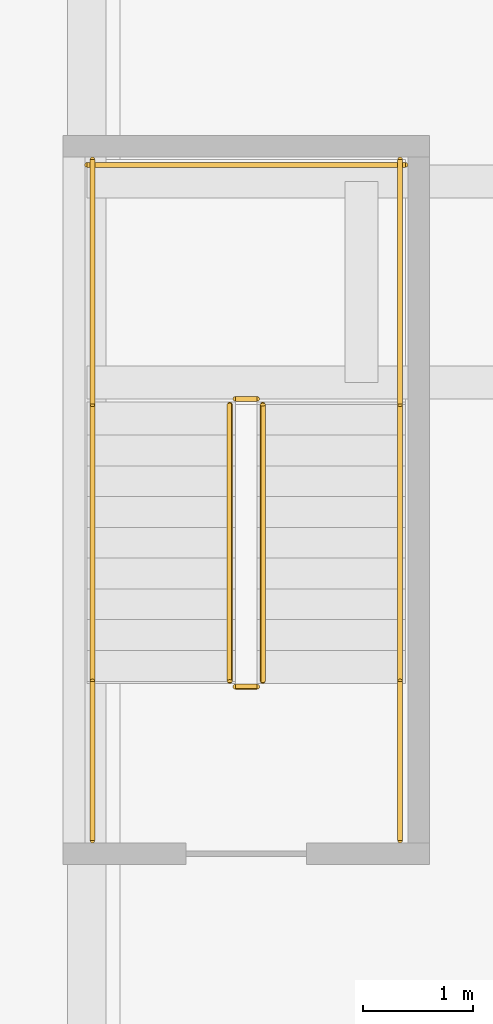
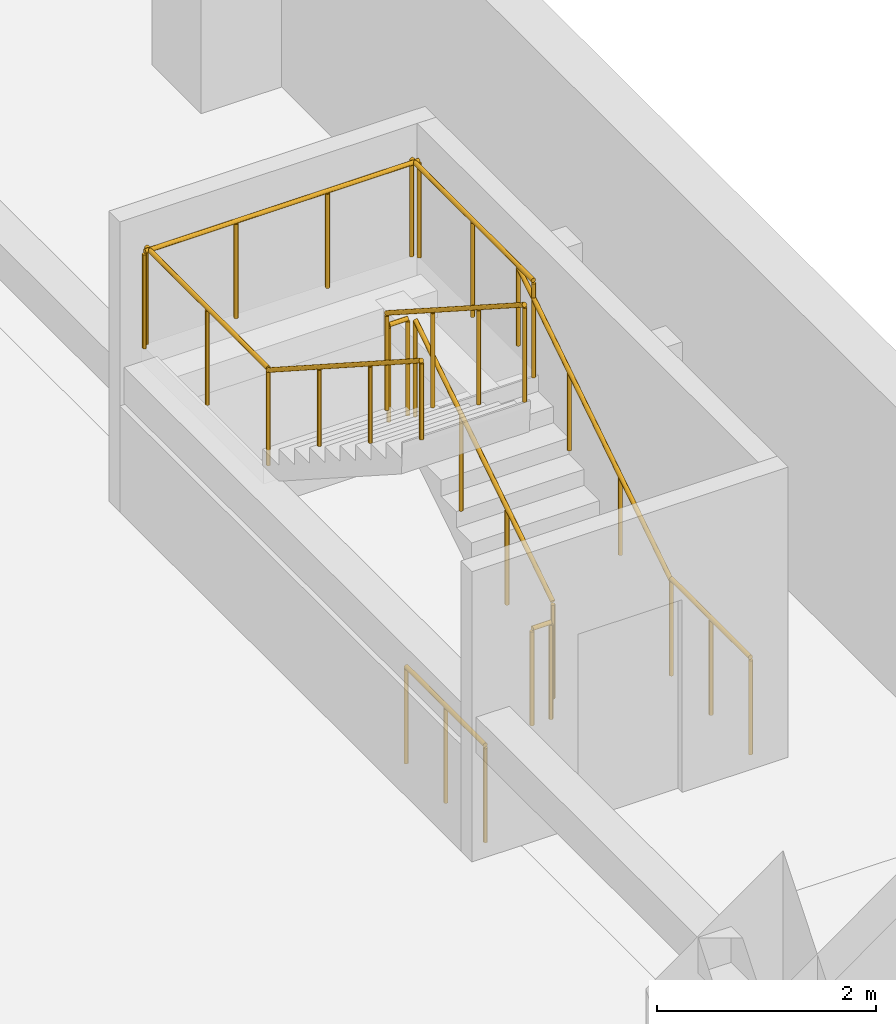
# One storey, part 10 of 12: 11 railings.
"""IFC4 building model written with IfcOpenShell, lengths in metres."""

from ifc_helpers import new_model, si_unit, direction, frame, origin, origin_2d, place, context, subcontext, project, spatial, circle, extrude, material, type_object, element, save


model = new_model("IFC4")

# Units and contexts
model_context = context("Model", 3, precision=1e-05, world=origin(), true_north=direction((0.0, 1.0)))
body_context = subcontext(model_context, "Body", "Model", "MODEL_VIEW")
ifc_project = project(units=[si_unit("LENGTHUNIT", "METRE"), si_unit("AREAUNIT", "SQUARE_METRE"), si_unit("VOLUMEUNIT", "CUBIC_METRE"), si_unit("PLANEANGLEUNIT", "RADIAN"), si_unit("MASSUNIT", "GRAM", prefix="KILO")], contexts=[model_context])

# Site, building, storey
site_placement = place(None, origin())
site = spatial("IfcSite", under=ifc_project, at=site_placement, CompositionType="ELEMENT")
building_placement = place(site_placement, origin())
building = spatial("IfcBuilding", under=site, at=building_placement, Name="Serunith Strait Residences", CompositionType="ELEMENT")
storey_placement = place(building_placement, frame((0.0, 0.0, -10.800048828125)))
storey = spatial("IfcBuildingStorey", under=building, at=storey_placement, Name="B03", CompositionType="ELEMENT", Elevation=-10.800048828125)

# Railings
ifc_material = material(Name="Brushed stainless steel 316L", Category="steel")
railing_type_1 = type_object("IfcRailingType", Name="RLG-STAIR-GUARD", PredefinedType="BALUSTRADE", material=ifc_material)
railing_1_placement = place(storey_placement, frame((61.5, 23.25, 0.179931640625)))
element("IfcRailing", 1, at=railing_1_placement, inside=storey, type_object=railing_type_1, Name="B03 ST-6 stair guard 1", PredefinedType="BALUSTRADE", context=body_context, shape_type="SweptSolid", body=[
    extrude(circle(Radius=0.02392578125, at=origin_2d()), frame((0.0, 0.001708984375, 1.0771484375), z_axis=(0.0, 0.841162588446, 0.540782303519), x_axis=(-1.0, 0.0, 0.0)), (0.0, 0.0, 1.0), 2.991943359375),
    extrude(circle(Radius=0.02099609375, at=origin_2d()), origin(), (0.0, 0.0, 1.0), 1.050048828125),
    extrude(circle(Radius=0.02099609375, at=origin_2d()), frame((0.0, 0.840087890625, 0.5400390625)), (0.0, 0.0, 1.0), 1.050048828125),
    extrude(circle(Radius=0.02099609375, at=origin_2d()), frame((0.0, 1.679931640625, 1.080078125)), (0.0, 0.0, 1.0), 1.050048828125),
    extrude(circle(Radius=0.02099609375, at=origin_2d()), frame((0.0, 2.52001953125, 1.6201171875)), (0.0, 0.0, 1.0), 1.050048828125),
])
railing_2_placement = place(storey_placement, frame((61.449951171875, 25.820068359375, 1.800048828125)))
element("IfcRailing", 2, at=railing_2_placement, inside=storey, type_object=railing_type_1, Name="B03 ST-6 stair guard 2", PredefinedType="BALUSTRADE", context=body_context, shape_type="SweptSolid", body=[
    extrude(circle(Radius=0.02392578125, at=origin_2d()), frame((-0.001953125, 0.0, 1.076171875), z_axis=(-1.0, 0.0, 0.0), x_axis=(0.0, -1.0, 0.0)), (0.0, 0.0, 1.0), 0.196044921875),
    extrude(circle(Radius=0.02099609375, at=origin_2d()), origin(), (0.0, 0.0, 1.0), 1.050048828125),
    extrude(circle(Radius=0.02099609375, at=origin_2d()), frame((-0.199951171875, 0.0, 0.0)), (0.0, 0.0, 1.0), 1.050048828125),
])
for number, where, name in (
    (3, (62.75, 25.77001953125, 1.800048828125), "B03 ST-6 stair guard 3"),
    (4, (59.949951171875, 25.77001953125, 1.800048828125), "B03 ST-6 stair guard 4"),
):
    element("IfcRailing", number, at=place(storey_placement, frame(where)), inside=storey, type_object=railing_type_1, Name=name, PredefinedType="BALUSTRADE", context=body_context, shape_type="SweptSolid", body=[
        extrude(circle(Radius=0.02392578125, at=origin_2d()), frame((0.0, 0.001953125, 1.076171875), z_axis=(0.0, 1.0, 0.0), x_axis=(-1.0, 0.0, 0.0)), (0.0, 0.0, 1.0), 2.22607421875),
        extrude(circle(Radius=0.02099609375, at=origin_2d()), origin(), (0.0, 0.0, 1.0), 1.050048828125),
        extrude(circle(Radius=0.02099609375, at=origin_2d()), frame((0.0, 1.114990234375, 0.0)), (0.0, 0.0, 1.0), 1.050048828125),
        extrude(circle(Radius=0.02099609375, at=origin_2d()), frame((0.0, 2.22998046875, 0.0)), (0.0, 0.0, 1.0), 1.050048828125),
    ])
railing_3_placement = place(storey_placement, frame((62.800048828125, 27.949951171875, 1.800048828125)))
element("IfcRailing", 5, at=railing_3_placement, inside=storey, type_object=railing_type_1, Name="B03 ST-6 stair guard 5", PredefinedType="BALUSTRADE", context=body_context, shape_type="SweptSolid", body=[
    extrude(circle(Radius=0.02392578125, at=origin_2d()), frame((-0.001953125, 0.0, 1.076171875), z_axis=(-1.0, 0.0, 0.0), x_axis=(0.0, -1.0, 0.0)), (0.0, 0.0, 1.0), 2.896240234375),
    extrude(circle(Radius=0.02099609375, at=origin_2d()), origin(), (0.0, 0.0, 1.0), 1.050048828125),
    extrude(circle(Radius=0.02099609375, at=origin_2d()), frame((-0.966796875, 0.0, 0.0)), (0.0, 0.0, 1.0), 1.050048828125),
    extrude(circle(Radius=0.02099609375, at=origin_2d()), frame((-1.933349609375, 0.0, 0.0)), (0.0, 0.0, 1.0), 1.050048828125),
    extrude(circle(Radius=0.02099609375, at=origin_2d()), frame((-2.900146484375, 0.0, 0.0)), (0.0, 0.0, 1.0), 1.050048828125),
])
railing_4_placement = place(storey_placement, frame((61.199951171875, 25.77001953125, 1.97998046875)))
element("IfcRailing", 6, at=railing_4_placement, inside=storey, type_object=railing_type_1, Name="B03 ST-6 stair guard 6", PredefinedType="BALUSTRADE", context=body_context, shape_type="SweptSolid", body=[
    extrude(circle(Radius=0.02392578125, at=origin_2d()), frame((0.0, -0.001708984375, 1.0771484375), z_axis=(0.0, -0.841162588446, 0.540782303519), x_axis=(1.0, 0.0, 0.0)), (0.0, 0.0, 1.0), 2.991943359375),
    extrude(circle(Radius=0.02099609375, at=origin_2d()), origin(), (0.0, 0.0, 1.0), 1.050048828125),
    extrude(circle(Radius=0.02099609375, at=origin_2d()), frame((0.0, -0.840087890625, 0.5400390625)), (0.0, 0.0, 1.0), 1.050048828125),
    extrude(circle(Radius=0.02099609375, at=origin_2d()), frame((0.0, -1.679931640625, 1.080078125)), (0.0, 0.0, 1.0), 1.050048828125),
    extrude(circle(Radius=0.02099609375, at=origin_2d()), frame((0.0, -2.52001953125, 1.6201171875)), (0.0, 0.0, 1.0), 1.050048828125),
])
railing_5_placement = place(storey_placement, frame((61.449951171875, 23.199951171875, 0.0)))
element("IfcRailing", 7, at=railing_5_placement, inside=storey, type_object=railing_type_1, Name="B03 ST-6 stair guard 7", PredefinedType="BALUSTRADE", context=body_context, shape_type="SweptSolid", body=[
    extrude(circle(Radius=0.02392578125, at=origin_2d()), frame((-0.001953125, 0.0, 1.076171875), z_axis=(-1.0, 0.0, 0.0), x_axis=(0.0, -1.0, 0.0)), (0.0, 0.0, 1.0), 0.196044921875),
    extrude(circle(Radius=0.02099609375, at=origin_2d()), origin(), (0.0, 0.0, 1.0), 1.050048828125),
    extrude(circle(Radius=0.02099609375, at=origin_2d()), frame((-0.199951171875, 0.0, 0.0)), (0.0, 0.0, 1.0), 1.050048828125),
])
for number, where, name in (
    (8, (62.75, 21.800048828125, 0.0), "B03 ST-6 stair guard 8"),
    (9, (59.949951171875, 21.800048828125, 0.0), "B03 ST-6 stair guard 9"),
):
    element("IfcRailing", number, at=place(storey_placement, frame(where)), inside=storey, type_object=railing_type_1, Name=name, PredefinedType="BALUSTRADE", context=body_context, shape_type="SweptSolid", body=[
        extrude(circle(Radius=0.02392578125, at=origin_2d()), frame((0.0, 0.001953125, 1.076171875), z_axis=(0.0, 1.0, 0.0), x_axis=(-1.0, 0.0, 0.0)), (0.0, 0.0, 1.0), 1.446044921875),
        extrude(circle(Radius=0.02099609375, at=origin_2d()), origin(), (0.0, 0.0, 1.0), 1.050048828125),
        extrude(circle(Radius=0.02099609375, at=origin_2d()), frame((0.0, 0.72509765625, 0.0)), (0.0, 0.0, 1.0), 1.050048828125),
        extrude(circle(Radius=0.02099609375, at=origin_2d()), frame((0.0, 1.449951171875, 0.0)), (0.0, 0.0, 1.0), 1.050048828125),
    ])
railing_type_2 = type_object("IfcRailingType", Name="RLG-STAIR-HR", PredefinedType="HANDRAIL", material=ifc_material)
railing_6_placement = place(storey_placement, frame((62.75, 23.25, 0.179931640625)))
element("IfcRailing", 10, at=railing_6_placement, inside=storey, type_object=railing_type_2, Name="B03 ST-6 stair handrail 1", PredefinedType="HANDRAIL", context=body_context, shape_type="SweptSolid", body=[
    extrude(circle(Radius=0.02392578125, at=origin_2d()), frame((0.0, 0.001708984375, 0.876953125), z_axis=(0.0, 0.840475366265, 0.541849756576), x_axis=(-1.0, 0.0, 0.0)), (0.0, 0.0, 1.0), 3.327392578125),
    extrude(circle(Radius=0.02099609375, at=origin_2d()), origin(), (0.0, 0.0, 1.0), 0.849853515625),
    extrude(circle(Radius=0.02099609375, at=origin_2d()), frame((0.0, 0.933349609375, 0.601806640625)), (0.0, 0.0, 1.0), 0.849853515625),
    extrude(circle(Radius=0.02099609375, at=origin_2d()), frame((0.0, 1.86669921875, 1.203369140625)), (0.0, 0.0, 1.0), 0.849853515625),
    extrude(circle(Radius=0.02099609375, at=origin_2d()), frame((0.0, 2.800048828125, 1.80517578125)), (0.0, 0.0, 1.0), 0.849853515625),
])
railing_7_placement = place(storey_placement, frame((59.949951171875, 25.77001953125, 1.97998046875)))
element("IfcRailing", 11, at=railing_7_placement, inside=storey, type_object=railing_type_2, Name="B03 ST-6 stair handrail 2", PredefinedType="HANDRAIL", context=body_context, shape_type="SweptSolid", body=[
    extrude(circle(Radius=0.02392578125, at=origin_2d()), frame((0.0, -0.001708984375, 0.876953125), z_axis=(0.0, -0.840475366265, 0.541849756576), x_axis=(1.0, 0.0, 0.0)), (0.0, 0.0, 1.0), 3.327392578125),
    extrude(circle(Radius=0.02099609375, at=origin_2d()), origin(), (0.0, 0.0, 1.0), 0.849853515625),
    extrude(circle(Radius=0.02099609375, at=origin_2d()), frame((0.0, -0.933349609375, 0.601806640625)), (0.0, 0.0, 1.0), 0.849853515625),
    extrude(circle(Radius=0.02099609375, at=origin_2d()), frame((0.0, -1.86669921875, 1.203369140625)), (0.0, 0.0, 1.0), 0.849853515625),
    extrude(circle(Radius=0.02099609375, at=origin_2d()), frame((0.0, -2.800048828125, 1.80517578125)), (0.0, 0.0, 1.0), 0.849853515625),
])

save(model, "model.ifc")
